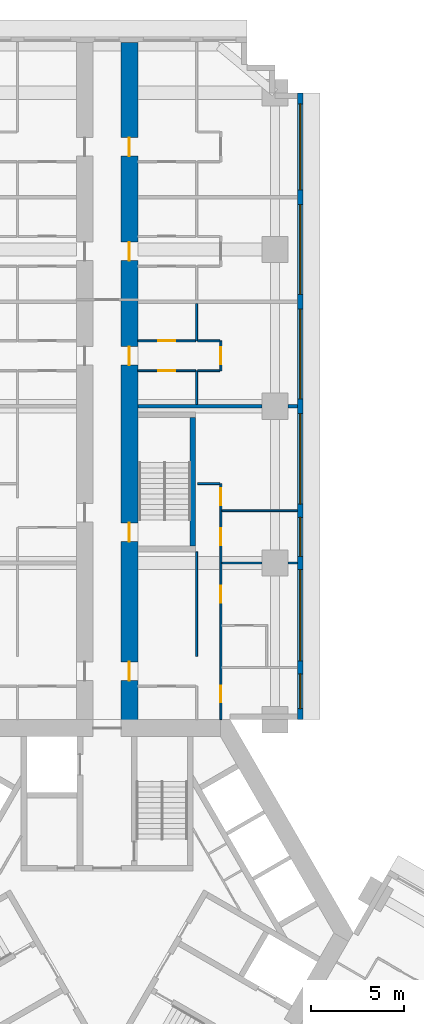
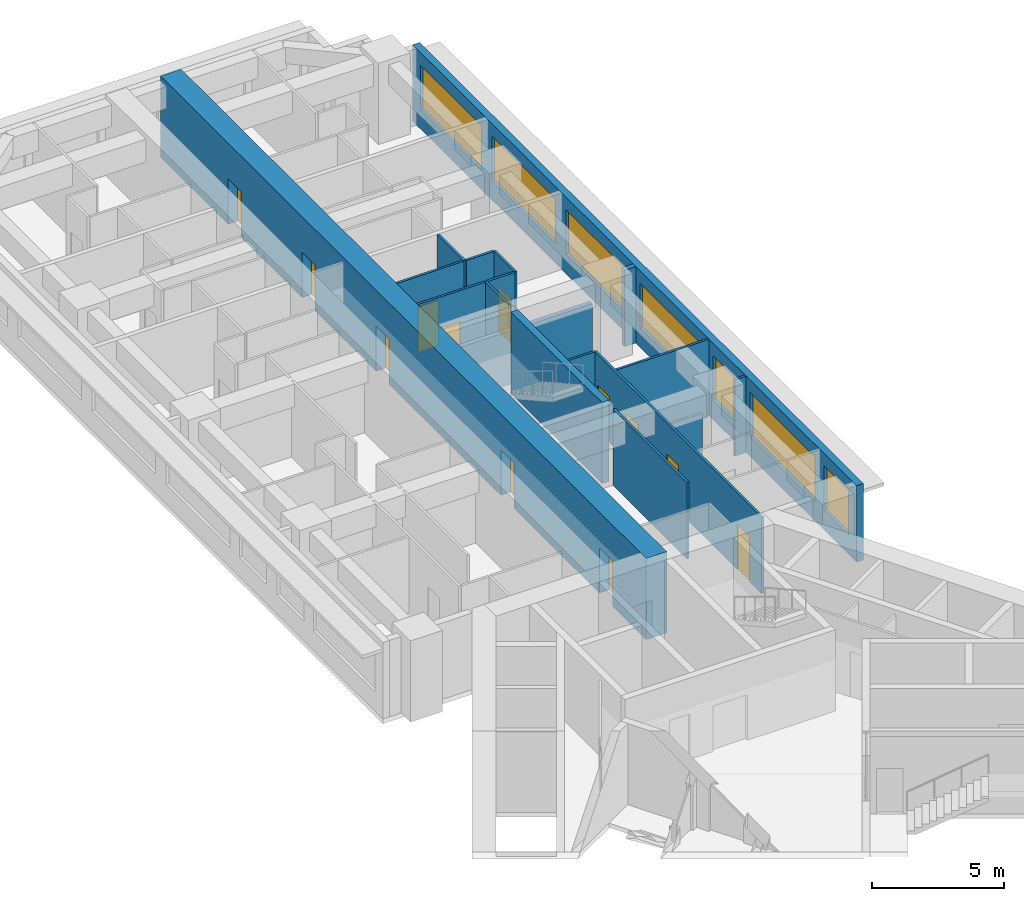
# One storey, part 10 of 16: 18 walls, 12 doors, 7 windows, 19 openings.
"""IFC4 building model written with IfcOpenShell, lengths in metres."""

from ifc_helpers import new_model, si_unit, direction, frame, frame_2d, origin, place, context, subcontext, project, spatial, rectangle, extrude, material, layer, layer_set, type_object, element, fill, save


model = new_model("IFC4")

# Units and contexts
model_context = context("Model", 3, precision=1e-05, world=origin(), true_north=direction((0.0, 1.0)))
body_context = subcontext(model_context, "Body", "Model", "MODEL_VIEW")
ifc_project = project(units=[si_unit("LENGTHUNIT", "METRE"), si_unit("AREAUNIT", "SQUARE_METRE"), si_unit("VOLUMEUNIT", "CUBIC_METRE"), si_unit("PLANEANGLEUNIT", "RADIAN"), si_unit("MASSUNIT", "GRAM", prefix="KILO")], contexts=[model_context])

# Site, building, storey
site_placement = place(None, origin())
site = spatial("IfcSite", under=ifc_project, at=site_placement, CompositionType="ELEMENT")
building_placement = place(site_placement, origin())
building = spatial("IfcBuilding", under=site, at=building_placement, Name="Impinga Residences", CompositionType="ELEMENT")
storey_placement = place(building_placement, frame((0.0, 0.0, 56.0)))
storey = spatial("IfcBuildingStorey", under=building, at=storey_placement, Name="L13", CompositionType="ELEMENT", Elevation=56.0)

# Wall, openings, doors
ifc_material_1 = material(Name="Concrete C70/85", Category="concrete")
ifc_layer_1 = layer(ifc_material_1, 0.89990234375)
ifc_layer_set_1 = layer_set([ifc_layer_1], Name="Concrete C70/85")
wall_type_1 = type_object("IfcWallType", Name="BW1 corridor buttress wall, L05 to L22 900", PredefinedType="SHEAR", material=ifc_layer_set_1)
wall_1_placement = place(storey_placement, frame((1.199951171875, 10.9814453125, 0.0), z_axis=(0.0, 0.0, 1.0), x_axis=(0.0, 1.0, 0.0)))
wall_1 = element("IfcWall", 1, at=wall_1_placement, inside=storey, type_object=wall_type_1, Name="Corridor wall BW1 ND L13", PredefinedType="SHEAR", context=body_context, shape_type="SweptSolid", body=[
    extrude(rectangle(XDim=36.75, YDim=0.89990234375, at=frame_2d((18.375, 0.0))), origin(), (0.0, 0.0, 1.0), 3.75),
])
opening_1_placement = place(wall_1_placement, frame((10.0, 0.0, 0.0)))
opening_1 = element("IfcOpeningElement", 2, at=opening_1_placement, cuts=wall_1, Name="Opening D5", PredefinedType="OPENING", context=body_context, shape_type="SweptSolid", body=[
    extrude(rectangle(XDim=1.0, YDim=2.10009765625, at=frame_2d((0.5, 1.050048828125))), frame((0.0, 0.4599609375, 0.0), z_axis=(0.0, -1.0, 0.0), x_axis=(1.0, 0.0, 0.0)), (0.0, 0.0, 1.0), 0.919921875),
])
opening_2_placement = place(wall_1_placement, frame((2.550048828125, 0.0, 0.0)))
opening_2 = element("IfcOpeningElement", 3, at=opening_2_placement, cuts=wall_1, Name="Opening D1", PredefinedType="OPENING", context=body_context, shape_type="SweptSolid", body=[
    extrude(rectangle(XDim=1.0, YDim=2.10009765625, at=frame_2d((0.5, 1.050048828125))), frame((0.0, 0.4599609375, 0.0), z_axis=(0.0, -1.0, 0.0), x_axis=(1.0, 0.0, 0.0)), (0.0, 0.0, 1.0), 0.919921875),
])
opening_3_placement = place(wall_1_placement, frame((19.449951171875, 0.0, 0.0)))
opening_3 = element("IfcOpeningElement", 4, at=opening_3_placement, cuts=wall_1, Name="Opening D1", PredefinedType="OPENING", context=body_context, shape_type="SweptSolid", body=[
    extrude(rectangle(XDim=1.0, YDim=2.10009765625, at=frame_2d((0.5, 1.050048828125))), frame((0.0, 0.4599609375, 0.0), z_axis=(0.0, -1.0, 0.0), x_axis=(1.0, 0.0, 0.0)), (0.0, 0.0, 1.0), 0.919921875),
])
opening_4_placement = place(wall_1_placement, frame((25.050048828125, 0.0, 0.0)))
opening_4 = element("IfcOpeningElement", 5, at=opening_4_placement, cuts=wall_1, Name="Opening D1", PredefinedType="OPENING", context=body_context, shape_type="SweptSolid", body=[
    extrude(rectangle(XDim=1.0, YDim=2.10009765625, at=frame_2d((0.5, 1.050048828125))), frame((0.0, 0.4599609375, 0.0), z_axis=(0.0, -1.0, 0.0), x_axis=(1.0, 0.0, 0.0)), (0.0, 0.0, 1.0), 0.919921875),
])
opening_5_placement = place(wall_1_placement, frame((30.64990234375, 0.0, 0.0)))
opening_5 = element("IfcOpeningElement", 6, at=opening_5_placement, cuts=wall_1, Name="Opening D1", PredefinedType="OPENING", context=body_context, shape_type="SweptSolid", body=[
    extrude(rectangle(XDim=1.0, YDim=2.10009765625, at=frame_2d((0.5, 1.050048828125))), frame((0.0, 0.4599609375, 0.0), z_axis=(0.0, -1.0, 0.0), x_axis=(1.0, 0.0, 0.0)), (0.0, 0.0, 1.0), 0.919921875),
])
ifc_material_2 = material(Name="Timber door set", Category="wood")
door_type_1 = type_object("IfcDoorType", Name="D1 apartment entrance door 1000x2100", OperationType="SINGLE_SWING_LEFT", PredefinedType="DOOR", material=ifc_material_2)
door_1_placement = place(opening_2_placement, origin())
door_1 = element("IfcDoor", 7, at=door_1_placement, inside=storey, type_object=door_type_1, Name="Apartment L13-NF1 entrance", OperationType="SINGLE_SWING_LEFT", OverallHeight=2.10009765625, OverallWidth=1.0, PredefinedType="DOOR", context=body_context, shape_type="SweptSolid", body=[
    extrude(rectangle(XDim=1.0, YDim=2.10009765625, at=frame_2d((0.5, 1.050048828125))), frame((0.0, 0.02490234375, 0.0), z_axis=(0.0, -1.0, 0.0), x_axis=(1.0, 0.0, 0.0)), (0.0, 0.0, 1.0), 0.050048828125),
])
fill(opening_2, door_1)
door_2_placement = place(opening_3_placement, origin())
door_2 = element("IfcDoor", 8, at=door_2_placement, inside=storey, type_object=door_type_1, Name="Apartment L13-NF2 entrance", OperationType="SINGLE_SWING_RIGHT", OverallHeight=2.10009765625, OverallWidth=1.0, PredefinedType="DOOR", context=body_context, shape_type="SweptSolid", body=[
    extrude(rectangle(XDim=1.0, YDim=2.10009765625, at=frame_2d((0.5, 1.050048828125))), frame((0.0, 0.02490234375, 0.0), z_axis=(0.0, -1.0, 0.0), x_axis=(1.0, 0.0, 0.0)), (0.0, 0.0, 1.0), 0.050048828125),
])
fill(opening_3, door_2)
door_3_placement = place(opening_4_placement, origin())
door_3 = element("IfcDoor", 9, at=door_3_placement, inside=storey, type_object=door_type_1, Name="Apartment L13-NF3 entrance", OperationType="SINGLE_SWING_RIGHT", OverallHeight=2.10009765625, OverallWidth=1.0, PredefinedType="DOOR", context=body_context, shape_type="SweptSolid", body=[
    extrude(rectangle(XDim=1.0, YDim=2.10009765625, at=frame_2d((0.5, 1.050048828125))), frame((0.0, 0.02490234375, 0.0), z_axis=(0.0, -1.0, 0.0), x_axis=(1.0, 0.0, 0.0)), (0.0, 0.0, 1.0), 0.050048828125),
])
fill(opening_4, door_3)
door_4_placement = place(opening_5_placement, origin())
door_4 = element("IfcDoor", 10, at=door_4_placement, inside=storey, type_object=door_type_1, Name="Apartment L13-NF4 entrance", OperationType="SINGLE_SWING_RIGHT", OverallHeight=2.10009765625, OverallWidth=1.0, PredefinedType="DOOR", context=body_context, shape_type="SweptSolid", body=[
    extrude(rectangle(XDim=1.0, YDim=2.10009765625, at=frame_2d((0.5, 1.050048828125))), frame((0.0, 0.02490234375, 0.0), z_axis=(0.0, -1.0, 0.0), x_axis=(1.0, 0.0, 0.0)), (0.0, 0.0, 1.0), 0.050048828125),
])
fill(opening_5, door_4)
door_type_2 = type_object("IfcDoorType", Name="D5 stair door 1000x2100", OperationType="SINGLE_SWING_LEFT", PredefinedType="DOOR", material=ifc_material_2)
door_5_placement = place(opening_1_placement, origin())
door_5 = element("IfcDoor", 11, at=door_5_placement, inside=storey, type_object=door_type_2, Name="Wing stair door N", OperationType="SINGLE_SWING_LEFT", OverallHeight=2.10009765625, OverallWidth=1.0, PredefinedType="DOOR", context=body_context, shape_type="SweptSolid", body=[
    extrude(rectangle(XDim=1.0, YDim=2.10009765625, at=frame_2d((0.5, 1.050048828125))), frame((0.0, 0.02490234375, 0.0), z_axis=(0.0, -1.0, 0.0), x_axis=(1.0, 0.0, 0.0)), (0.0, 0.0, 1.0), 0.050048828125),
])
fill(opening_1, door_5)

# Wall, openings, windows
ifc_material_3 = material(Name="Terracotta rainscreen on blockwork", Category="masonry")
ifc_layer_2 = layer(ifc_material_3, 0.300048828125)
ifc_layer_set_2 = layer_set([ifc_layer_2], Name="EW1 external wall, terracotta rainscreen on blockwork 300")
wall_type_2 = type_object("IfcWallType", Name="EW1 external wall, terracotta rainscreen on blockwork 300", PredefinedType="SOLIDWALL", material=ifc_layer_set_2)
wall_2_placement = place(storey_placement, frame((10.35009765625, 45.031494140625, 0.0), z_axis=(0.0, 0.0, 1.0), x_axis=(0.0, -1.0, 0.0)))
wall_2 = element("IfcWall", 12, at=wall_2_placement, inside=storey, type_object=wall_type_2, Name="External wall EW1 L13", PredefinedType="SOLIDWALL", context=body_context, shape_type="SweptSolid", body=[
    extrude(rectangle(XDim=33.599853515625, YDim=0.300048828125, at=frame_2d((16.7998046875, 0.0))), origin(), (0.0, 0.0, 1.0), 3.530029296875),
])
opening_6_placement = place(wall_2_placement, frame((0.60009765625, 0.0, 0.89990234375)))
opening_6 = element("IfcOpeningElement", 13, at=opening_6_placement, cuts=wall_2, Name="Opening W3", PredefinedType="OPENING", context=body_context, shape_type="SweptSolid", body=[
    extrude(rectangle(XDim=4.60009765625, YDim=2.050048828125, at=frame_2d((2.300048828125, 1.02490234375))), frame((0.0, 0.159912109375, 0.0), z_axis=(0.0, -1.0, 0.0), x_axis=(1.0, 0.0, 0.0)), (0.0, 0.0, 1.0), 0.320068359375),
])
opening_7_placement = place(wall_2_placement, frame((6.0, 0.0, 0.89990234375)))
opening_7 = element("IfcOpeningElement", 14, at=opening_7_placement, cuts=wall_2, Name="Opening W8", PredefinedType="OPENING", context=body_context, shape_type="SweptSolid", body=[
    extrude(rectangle(XDim=4.800048828125, YDim=2.050048828125, at=frame_2d((2.39990234375, 1.02490234375))), frame((0.0, 0.159912109375, 0.0), z_axis=(0.0, -1.0, 0.0), x_axis=(1.0, 0.0, 0.0)), (0.0, 0.0, 1.0), 0.320068359375),
])
opening_8_placement = place(wall_2_placement, frame((11.60009765625, 0.0, 0.89990234375)))
opening_8 = element("IfcOpeningElement", 15, at=opening_8_placement, cuts=wall_2, Name="Opening W8", PredefinedType="OPENING", context=body_context, shape_type="SweptSolid", body=[
    extrude(rectangle(XDim=4.800048828125, YDim=2.050048828125, at=frame_2d((2.39990234375, 1.02490234375))), frame((0.0, 0.159912109375, 0.0), z_axis=(0.0, -1.0, 0.0), x_axis=(1.0, 0.0, 0.0)), (0.0, 0.0, 1.0), 0.320068359375),
])
opening_9_placement = place(wall_2_placement, frame((17.199951171875, 0.0, 0.89990234375)))
opening_9 = element("IfcOpeningElement", 16, at=opening_9_placement, cuts=wall_2, Name="Opening W6", PredefinedType="OPENING", context=body_context, shape_type="SweptSolid", body=[
    extrude(rectangle(XDim=4.85009765625, YDim=2.050048828125, at=frame_2d((2.425048828125, 1.02490234375))), frame((0.0, 0.159912109375, 0.0), z_axis=(0.0, -1.0, 0.0), x_axis=(1.0, 0.0, 0.0)), (0.0, 0.0, 1.0), 0.320068359375),
])
opening_10_placement = place(wall_2_placement, frame((22.75, 0.0, 0.89990234375)))
opening_10 = element("IfcOpeningElement", 17, at=opening_10_placement, cuts=wall_2, Name="Opening W9", PredefinedType="OPENING", context=body_context, shape_type="SweptSolid", body=[
    extrude(rectangle(XDim=2.10009765625, YDim=2.050048828125, at=frame_2d((1.050048828125, 1.02490234375))), frame((0.0, 0.159912109375, 0.0), z_axis=(0.0, -1.0, 0.0), x_axis=(1.0, 0.0, 0.0)), (0.0, 0.0, 1.0), 0.320068359375),
])
opening_11_placement = place(wall_2_placement, frame((25.550048828125, 0.0, 0.89990234375)))
opening_11 = element("IfcOpeningElement", 18, at=opening_11_placement, cuts=wall_2, Name="Opening W16", PredefinedType="OPENING", context=body_context, shape_type="SweptSolid", body=[
    extrude(rectangle(XDim=4.89990234375, YDim=2.050048828125, at=frame_2d((2.449951171875, 1.02490234375))), frame((0.0, 0.159912109375, 0.0), z_axis=(0.0, -1.0, 0.0), x_axis=(1.0, 0.0, 0.0)), (0.0, 0.0, 1.0), 0.320068359375),
])
opening_12_placement = place(wall_2_placement, frame((31.14990234375, 0.0, 0.89990234375)))
opening_12 = element("IfcOpeningElement", 19, at=opening_12_placement, cuts=wall_2, Name="Opening W15", PredefinedType="OPENING", context=body_context, shape_type="SweptSolid", body=[
    extrude(rectangle(XDim=1.85009765625, YDim=2.050048828125, at=frame_2d((0.925048828125, 1.02490234375))), frame((0.0, 0.159912109375, 0.0), z_axis=(0.0, -1.0, 0.0), x_axis=(1.0, 0.0, 0.0)), (0.0, 0.0, 1.0), 0.320068359375),
])
ifc_material_4 = material(Name="Aluminium window, clear double glazing", Category="aluminium")
window_type_1 = type_object("IfcWindowType", Name="W15 ribbon window 1850x2050", PartitioningType="SINGLE_PANEL", PredefinedType="WINDOW", material=ifc_material_4)
window_1_placement = place(opening_12_placement, origin())
window_1 = element("IfcWindow", 20, at=window_1_placement, inside=storey, type_object=window_type_1, Name="Window L13", OverallHeight=2.050048828125, OverallWidth=1.85009765625, PartitioningType="SINGLE_PANEL", PredefinedType="WINDOW", context=body_context, shape_type="SweptSolid", body=[
    extrude(rectangle(XDim=1.85009765625, YDim=2.050048828125, at=frame_2d((0.925048828125, 1.02490234375))), frame((0.0, 0.030029296875, 0.0), z_axis=(0.0, -1.0, 0.0), x_axis=(1.0, 0.0, 0.0)), (0.0, 0.0, 1.0), 0.06005859375),
])
fill(opening_12, window_1)
window_type_2 = type_object("IfcWindowType", Name="W16 ribbon window 4900x2050", PartitioningType="SINGLE_PANEL", PredefinedType="WINDOW", material=ifc_material_4)
window_2_placement = place(opening_11_placement, origin())
window_2 = element("IfcWindow", 21, at=window_2_placement, inside=storey, type_object=window_type_2, Name="Window L13", OverallHeight=2.050048828125, OverallWidth=4.89990234375, PartitioningType="SINGLE_PANEL", PredefinedType="WINDOW", context=body_context, shape_type="SweptSolid", body=[
    extrude(rectangle(XDim=4.89990234375, YDim=2.050048828125, at=frame_2d((2.449951171875, 1.02490234375))), frame((0.0, 0.030029296875, 0.0), z_axis=(0.0, -1.0, 0.0), x_axis=(1.0, 0.0, 0.0)), (0.0, 0.0, 1.0), 0.06005859375),
])
fill(opening_11, window_2)
window_type_3 = type_object("IfcWindowType", Name="W3 ribbon window 4600x2050", PartitioningType="SINGLE_PANEL", PredefinedType="WINDOW", material=ifc_material_4)
window_3_placement = place(opening_6_placement, origin())
window_3 = element("IfcWindow", 22, at=window_3_placement, inside=storey, type_object=window_type_3, Name="Window L13", OverallHeight=2.050048828125, OverallWidth=4.60009765625, PartitioningType="SINGLE_PANEL", PredefinedType="WINDOW", context=body_context, shape_type="SweptSolid", body=[
    extrude(rectangle(XDim=4.60009765625, YDim=2.050048828125, at=frame_2d((2.300048828125, 1.02490234375))), frame((0.0, 0.030029296875, 0.0), z_axis=(0.0, -1.0, 0.0), x_axis=(1.0, 0.0, 0.0)), (0.0, 0.0, 1.0), 0.06005859375),
])
fill(opening_6, window_3)
window_type_4 = type_object("IfcWindowType", Name="W6 ribbon window 4850x2050", PartitioningType="SINGLE_PANEL", PredefinedType="WINDOW", material=ifc_material_4)
window_4_placement = place(opening_9_placement, origin())
window_4 = element("IfcWindow", 23, at=window_4_placement, inside=storey, type_object=window_type_4, Name="Window L13", OverallHeight=2.050048828125, OverallWidth=4.85009765625, PartitioningType="SINGLE_PANEL", PredefinedType="WINDOW", context=body_context, shape_type="SweptSolid", body=[
    extrude(rectangle(XDim=4.85009765625, YDim=2.050048828125, at=frame_2d((2.425048828125, 1.02490234375))), frame((0.0, 0.030029296875, 0.0), z_axis=(0.0, -1.0, 0.0), x_axis=(1.0, 0.0, 0.0)), (0.0, 0.0, 1.0), 0.06005859375),
])
fill(opening_9, window_4)
window_type_5 = type_object("IfcWindowType", Name="W8 ribbon window 4800x2050", PartitioningType="SINGLE_PANEL", PredefinedType="WINDOW", material=ifc_material_4)
window_5_placement = place(opening_7_placement, origin())
window_5 = element("IfcWindow", 24, at=window_5_placement, inside=storey, type_object=window_type_5, Name="Window L13", OverallHeight=2.050048828125, OverallWidth=4.800048828125, PartitioningType="SINGLE_PANEL", PredefinedType="WINDOW", context=body_context, shape_type="SweptSolid", body=[
    extrude(rectangle(XDim=4.800048828125, YDim=2.050048828125, at=frame_2d((2.39990234375, 1.02490234375))), frame((0.0, 0.030029296875, 0.0), z_axis=(0.0, -1.0, 0.0), x_axis=(1.0, 0.0, 0.0)), (0.0, 0.0, 1.0), 0.06005859375),
])
fill(opening_7, window_5)
window_6_placement = place(opening_8_placement, origin())
window_6 = element("IfcWindow", 25, at=window_6_placement, inside=storey, type_object=window_type_5, Name="Window L13", OverallHeight=2.050048828125, OverallWidth=4.800048828125, PartitioningType="SINGLE_PANEL", PredefinedType="WINDOW", context=body_context, shape_type="SweptSolid", body=[
    extrude(rectangle(XDim=4.800048828125, YDim=2.050048828125, at=frame_2d((2.39990234375, 1.02490234375))), frame((0.0, 0.030029296875, 0.0), z_axis=(0.0, -1.0, 0.0), x_axis=(1.0, 0.0, 0.0)), (0.0, 0.0, 1.0), 0.06005859375),
])
fill(opening_8, window_6)
window_type_6 = type_object("IfcWindowType", Name="W9 ribbon window 2100x2050", PartitioningType="SINGLE_PANEL", PredefinedType="WINDOW", material=ifc_material_4)
window_7_placement = place(opening_10_placement, origin())
window_7 = element("IfcWindow", 26, at=window_7_placement, inside=storey, type_object=window_type_6, Name="Window L13", OverallHeight=2.050048828125, OverallWidth=2.10009765625, PartitioningType="SINGLE_PANEL", PredefinedType="WINDOW", context=body_context, shape_type="SweptSolid", body=[
    extrude(rectangle(XDim=2.10009765625, YDim=2.050048828125, at=frame_2d((1.050048828125, 1.02490234375))), frame((0.0, 0.030029296875, 0.0), z_axis=(0.0, -1.0, 0.0), x_axis=(1.0, 0.0, 0.0)), (0.0, 0.0, 1.0), 0.06005859375),
])
fill(opening_10, window_7)

# Wall
ifc_material_5 = material(Name="Gypsum board on steel studs", Category="steel")
ifc_layer_3 = layer(ifc_material_5, 0.10009765625)
ifc_layer_set_3 = layer_set([ifc_layer_3], Name="Gypsum board on steel studs")
wall_type_3 = type_object("IfcWallType", Name="IP1 partition 100", PredefinedType="PARTITIONING", material=ifc_layer_set_3)
wall_3_placement = place(storey_placement, frame((4.800048828125, 14.83154296875, 0.0), z_axis=(0.0, 0.0, 1.0), x_axis=(0.0, 1.0, 0.0)))
element("IfcWall", 27, at=wall_3_placement, inside=storey, type_object=wall_type_3, Name="Partition L13-NF1:DIV1", PredefinedType="PARTITIONING", context=body_context, shape_type="SweptSolid", body=[
    extrude(rectangle(XDim=5.60009765625, YDim=0.10009765625, at=frame_2d((2.800048828125, 0.0))), origin(), (0.0, 0.0, 1.0), 3.530029296875),
])

# Wall, openings, doors
wall_4_placement = place(storey_placement, frame((6.10009765625, 11.431640625, 0.0), z_axis=(0.0, 0.0, 1.0), x_axis=(0.0, 1.0, 0.0)))
wall_4 = element("IfcWall", 28, at=wall_4_placement, inside=storey, type_object=wall_type_3, Name="Partition L13-NF1:STRIP", PredefinedType="PARTITIONING", context=body_context, shape_type="SweptSolid", body=[
    extrude(rectangle(XDim=12.64990234375, YDim=0.10009765625, at=frame_2d((6.324951171875, 0.0))), origin(), (0.0, 0.0, 1.0), 3.530029296875),
])
opening_13_placement = place(wall_4_placement, frame((0.925048828125, 0.0, 0.0)))
opening_13 = element("IfcOpeningElement", 29, at=opening_13_placement, cuts=wall_4, Name="Opening D2", PredefinedType="OPENING", context=body_context, shape_type="SweptSolid", body=[
    extrude(rectangle(XDim=0.89990234375, YDim=2.10009765625, at=frame_2d((0.449951171875, 1.050048828125))), frame((0.0, 0.06005859375, 0.0), z_axis=(0.0, -1.0, 0.0), x_axis=(1.0, 0.0, 0.0)), (0.0, 0.0, 1.0), 0.1201171875),
])
opening_14_placement = place(wall_4_placement, frame((6.27490234375, 0.0, 0.0)))
opening_14 = element("IfcOpeningElement", 30, at=opening_14_placement, cuts=wall_4, Name="Opening D2", PredefinedType="OPENING", context=body_context, shape_type="SweptSolid", body=[
    extrude(rectangle(XDim=0.89990234375, YDim=2.10009765625, at=frame_2d((0.449951171875, 1.050048828125))), frame((0.0, 0.06005859375, 0.0), z_axis=(0.0, -1.0, 0.0), x_axis=(1.0, 0.0, 0.0)), (0.0, 0.0, 1.0), 0.1201171875),
])
opening_15_placement = place(wall_4_placement, frame((9.35009765625, 0.0, 0.0)))
opening_15 = element("IfcOpeningElement", 31, at=opening_15_placement, cuts=wall_4, Name="Opening D2", PredefinedType="OPENING", context=body_context, shape_type="SweptSolid", body=[
    extrude(rectangle(XDim=0.89990234375, YDim=2.10009765625, at=frame_2d((0.449951171875, 1.050048828125))), frame((0.0, 0.06005859375, 0.0), z_axis=(0.0, -1.0, 0.0), x_axis=(1.0, 0.0, 0.0)), (0.0, 0.0, 1.0), 0.1201171875),
])
opening_16_placement = place(wall_4_placement, frame((11.5, 0.0, 0.0)))
opening_16 = element("IfcOpeningElement", 32, at=opening_16_placement, cuts=wall_4, Name="Opening D2", PredefinedType="OPENING", context=body_context, shape_type="SweptSolid", body=[
    extrude(rectangle(XDim=0.89990234375, YDim=2.10009765625, at=frame_2d((0.449951171875, 1.050048828125))), frame((0.0, 0.06005859375, 0.0), z_axis=(0.0, -1.0, 0.0), x_axis=(1.0, 0.0, 0.0)), (0.0, 0.0, 1.0), 0.1201171875),
])
door_type_3 = type_object("IfcDoorType", Name="D2 internal door 900x2100", OperationType="SINGLE_SWING_LEFT", PredefinedType="DOOR", material=ifc_material_2)
door_6_placement = place(opening_13_placement, origin())
door_6 = element("IfcDoor", 33, at=door_6_placement, inside=storey, type_object=door_type_3, Name="Apartment L13-NF1 room door", OperationType="SINGLE_SWING_LEFT", OverallHeight=2.10009765625, OverallWidth=0.89990234375, PredefinedType="DOOR", context=body_context, shape_type="SweptSolid", body=[
    extrude(rectangle(XDim=0.89990234375, YDim=2.10009765625, at=frame_2d((0.449951171875, 1.050048828125))), frame((0.0, 0.02490234375, 0.0), z_axis=(0.0, -1.0, 0.0), x_axis=(1.0, 0.0, 0.0)), (0.0, 0.0, 1.0), 0.050048828125),
])
fill(opening_13, door_6)
door_7_placement = place(opening_14_placement, origin())
door_7 = element("IfcDoor", 34, at=door_7_placement, inside=storey, type_object=door_type_3, Name="Apartment L13-NF1 room door", OperationType="SINGLE_SWING_RIGHT", OverallHeight=2.10009765625, OverallWidth=0.89990234375, PredefinedType="DOOR", context=body_context, shape_type="SweptSolid", body=[
    extrude(rectangle(XDim=0.89990234375, YDim=2.10009765625, at=frame_2d((0.449951171875, 1.050048828125))), frame((0.0, 0.02490234375, 0.0), z_axis=(0.0, -1.0, 0.0), x_axis=(1.0, 0.0, 0.0)), (0.0, 0.0, 1.0), 0.050048828125),
])
fill(opening_14, door_7)
door_8_placement = place(opening_15_placement, origin())
door_8 = element("IfcDoor", 35, at=door_8_placement, inside=storey, type_object=door_type_3, Name="Apartment L13-NF1 room door", OperationType="SINGLE_SWING_RIGHT", OverallHeight=2.10009765625, OverallWidth=0.89990234375, PredefinedType="DOOR", context=body_context, shape_type="SweptSolid", body=[
    extrude(rectangle(XDim=0.89990234375, YDim=2.10009765625, at=frame_2d((0.449951171875, 1.050048828125))), frame((0.0, 0.02490234375, 0.0), z_axis=(0.0, -1.0, 0.0), x_axis=(1.0, 0.0, 0.0)), (0.0, 0.0, 1.0), 0.050048828125),
])
fill(opening_15, door_8)
door_9_placement = place(opening_16_placement, origin())
door_9 = element("IfcDoor", 36, at=door_9_placement, inside=storey, type_object=door_type_3, Name="Apartment L13-NF1 room door", OperationType="SINGLE_SWING_RIGHT", OverallHeight=2.10009765625, OverallWidth=0.89990234375, PredefinedType="DOOR", context=body_context, shape_type="SweptSolid", body=[
    extrude(rectangle(XDim=0.89990234375, YDim=2.10009765625, at=frame_2d((0.449951171875, 1.050048828125))), frame((0.0, 0.02490234375, 0.0), z_axis=(0.0, -1.0, 0.0), x_axis=(1.0, 0.0, 0.0)), (0.0, 0.0, 1.0), 0.050048828125),
])
fill(opening_16, door_9)

# Walls
wall_5_placement = place(storey_placement, frame((4.85009765625, 24.08154296875, 0.0), z_axis=(0.0, 0.0, 1.0), x_axis=(1.0, 0.0, 0.0)))
element("IfcWall", 37, at=wall_5_placement, inside=storey, type_object=wall_type_3, Name="Partition L13-NF1:SE1", PredefinedType="PARTITIONING", context=body_context, shape_type="SweptSolid", body=[
    extrude(rectangle(XDim=1.199951171875, YDim=0.10009765625, at=frame_2d((0.60009765625, 0.0))), origin(), (0.0, 0.0, 1.0), 3.530029296875),
])
wall_6_placement = place(storey_placement, frame((6.14990234375, 19.83154296875, 0.0), z_axis=(0.0, 0.0, 1.0), x_axis=(1.0, 0.0, 0.0)))
element("IfcWall", 38, at=wall_6_placement, inside=storey, type_object=wall_type_3, Name="Partition L13-NF1:OB2", PredefinedType="PARTITIONING", context=body_context, shape_type="SweptSolid", body=[
    extrude(rectangle(XDim=2.150146484375, YDim=0.10009765625, at=frame_2d((1.0751953125, 0.0))), origin(), (0.0, 0.0, 1.0), 2.47998046875),
])
wall_7_placement = place(storey_placement, frame((9.699951171875, 19.83154296875, 0.0), z_axis=(0.0, 0.0, 1.0), x_axis=(1.0, 0.0, 0.0)))
element("IfcWall", 39, at=wall_7_placement, inside=storey, type_object=wall_type_3, Name="Partition L13-NF1:OB2b", PredefinedType="PARTITIONING", context=body_context, shape_type="SweptSolid", body=[
    extrude(rectangle(XDim=0.5, YDim=0.10009765625, at=frame_2d((0.25, 0.0))), origin(), (0.0, 0.0, 1.0), 3.530029296875),
])
wall_8_placement = place(storey_placement, frame((6.14990234375, 22.631591796875, 0.0), z_axis=(0.0, 0.0, 1.0), x_axis=(1.0, 0.0, 0.0)))
element("IfcWall", 40, at=wall_8_placement, inside=storey, type_object=wall_type_3, Name="Partition L13-NF1:OB3", PredefinedType="PARTITIONING", context=body_context, shape_type="SweptSolid", body=[
    extrude(rectangle(XDim=4.050048828125, YDim=0.10009765625, at=frame_2d((2.02490234375, 0.0))), origin(), (0.0, 0.0, 1.0), 3.530029296875),
])
wall_9_placement = place(storey_placement, frame((4.800048828125, 28.33154296875, 0.0), z_axis=(0.0, 0.0, 1.0), x_axis=(0.0, 1.0, 0.0)))
element("IfcWall", 41, at=wall_9_placement, inside=storey, type_object=wall_type_3, Name="Partition L13-NF2:DIV0", PredefinedType="PARTITIONING", context=body_context, shape_type="SweptSolid", body=[
    extrude(rectangle(XDim=1.800048828125, YDim=0.10009765625, at=frame_2d((0.89990234375, 0.0))), origin(), (0.0, 0.0, 1.0), 3.530029296875),
])
wall_10_placement = place(storey_placement, frame((4.800048828125, 31.7314453125, 0.0), z_axis=(0.0, 0.0, 1.0), x_axis=(0.0, 1.0, 0.0)))
element("IfcWall", 42, at=wall_10_placement, inside=storey, type_object=wall_type_3, Name="Partition L13-NF2:DIV1", PredefinedType="PARTITIONING", context=body_context, shape_type="SweptSolid", body=[
    extrude(rectangle(XDim=2.0, YDim=0.10009765625, at=frame_2d((1.0, 0.0))), origin(), (0.0, 0.0, 1.0), 3.530029296875),
])

# Wall, opening, door
wall_11_placement = place(storey_placement, frame((6.10009765625, 30.131591796875, 0.0), z_axis=(0.0, 0.0, 1.0), x_axis=(0.0, 1.0, 0.0)))
wall_11 = element("IfcWall", 43, at=wall_11_placement, inside=storey, type_object=wall_type_3, Name="Partition L13-NF2:STRIP", PredefinedType="PARTITIONING", context=body_context, shape_type="SweptSolid", body=[
    extrude(rectangle(XDim=1.599853515625, YDim=0.10009765625, at=frame_2d((0.7998046875, 0.0))), origin(), (0.0, 0.0, 1.0), 3.530029296875),
])
opening_17_placement = place(wall_11_placement, frame((0.35009765625, 0.0, 0.0)))
opening_17 = element("IfcOpeningElement", 44, at=opening_17_placement, cuts=wall_11, Name="Opening D2", PredefinedType="OPENING", context=body_context, shape_type="SweptSolid", body=[
    extrude(rectangle(XDim=0.89990234375, YDim=2.10009765625, at=frame_2d((0.449951171875, 1.050048828125))), frame((0.0, 0.06005859375, 0.0), z_axis=(0.0, -1.0, 0.0), x_axis=(1.0, 0.0, 0.0)), (0.0, 0.0, 1.0), 0.1201171875),
])
door_10_placement = place(opening_17_placement, origin())
door_10 = element("IfcDoor", 45, at=door_10_placement, inside=storey, type_object=door_type_3, Name="Apartment L13-NF2 room door", OperationType="SINGLE_SWING_LEFT", OverallHeight=2.10009765625, OverallWidth=0.89990234375, PredefinedType="DOOR", context=body_context, shape_type="SweptSolid", body=[
    extrude(rectangle(XDim=0.89990234375, YDim=2.10009765625, at=frame_2d((0.449951171875, 1.050048828125))), frame((0.0, 0.02490234375, 0.0), z_axis=(0.0, -1.0, 0.0), x_axis=(1.0, 0.0, 0.0)), (0.0, 0.0, 1.0), 0.050048828125),
])
fill(opening_17, door_10)

# Walls
for number, where, z_axis, x_axis, name in (
    (46, (4.85009765625, 30.131591796875, 0.0), (0.0, 0.0, 1.0), (1.0, 0.0, 0.0), "Partition L13-NF2:SE0"),
    (47, (4.85009765625, 31.7314453125, 0.0), (0.0, 0.0, 1.0), (1.0, 0.0, 0.0), "Partition L13-NF2:SE1"),
):
    element("IfcWall", number, at=place(storey_placement, frame(where, z_axis=z_axis, x_axis=x_axis)), inside=storey, type_object=wall_type_3, Name=name, PredefinedType="PARTITIONING", context=body_context, shape_type="SweptSolid", body=[
        extrude(rectangle(XDim=1.199951171875, YDim=0.10009765625, at=frame_2d((0.60009765625, 0.0))), origin(), (0.0, 0.0, 1.0), 3.530029296875),
    ])

# Wall, opening, door
wall_12_placement = place(storey_placement, frame((1.64990234375, 30.131591796875, 0.0), z_axis=(0.0, 0.0, 1.0), x_axis=(1.0, 0.0, 0.0)))
wall_12 = element("IfcWall", 48, at=wall_12_placement, inside=storey, type_object=wall_type_3, Name="Partition L13-NF2:IB1", PredefinedType="PARTITIONING", context=body_context, shape_type="SweptSolid", body=[
    extrude(rectangle(XDim=3.10009765625, YDim=0.10009765625, at=frame_2d((1.550048828125, 0.0))), origin(), (0.0, 0.0, 1.0), 3.530029296875),
])
opening_18_placement = place(wall_12_placement, frame((1.10009765625, 0.0, 0.0)))
opening_18 = element("IfcOpeningElement", 49, at=opening_18_placement, cuts=wall_12, Name="Opening D2", PredefinedType="OPENING", context=body_context, shape_type="SweptSolid", body=[
    extrude(rectangle(XDim=0.89990234375, YDim=2.10009765625, at=frame_2d((0.449951171875, 1.050048828125))), frame((0.0, 0.06005859375, 0.0), z_axis=(0.0, -1.0, 0.0), x_axis=(1.0, 0.0, 0.0)), (0.0, 0.0, 1.0), 0.1201171875),
])
door_11_placement = place(opening_18_placement, origin())
door_11 = element("IfcDoor", 50, at=door_11_placement, inside=storey, type_object=door_type_3, Name="Apartment L13-NF2 bathroom door", OperationType="SINGLE_SWING_LEFT", OverallHeight=2.10009765625, OverallWidth=0.89990234375, PredefinedType="DOOR", context=body_context, shape_type="SweptSolid", body=[
    extrude(rectangle(XDim=0.89990234375, YDim=2.10009765625, at=frame_2d((0.449951171875, 1.050048828125))), frame((0.0, 0.02490234375, 0.0), z_axis=(0.0, -1.0, 0.0), x_axis=(1.0, 0.0, 0.0)), (0.0, 0.0, 1.0), 0.050048828125),
])
fill(opening_18, door_11)

wall_13_placement = place(storey_placement, frame((1.64990234375, 31.7314453125, 0.0), z_axis=(0.0, 0.0, 1.0), x_axis=(1.0, 0.0, 0.0)))
wall_13 = element("IfcWall", 51, at=wall_13_placement, inside=storey, type_object=wall_type_3, Name="Partition L13-NF2:IB2", PredefinedType="PARTITIONING", context=body_context, shape_type="SweptSolid", body=[
    extrude(rectangle(XDim=3.10009765625, YDim=0.10009765625, at=frame_2d((1.550048828125, 0.0))), origin(), (0.0, 0.0, 1.0), 3.530029296875),
])
opening_19_placement = place(wall_13_placement, frame((1.10009765625, 0.0, 0.0)))
opening_19 = element("IfcOpeningElement", 52, at=opening_19_placement, cuts=wall_13, Name="Opening D2", PredefinedType="OPENING", context=body_context, shape_type="SweptSolid", body=[
    extrude(rectangle(XDim=0.89990234375, YDim=2.10009765625, at=frame_2d((0.449951171875, 1.050048828125))), frame((0.0, 0.06005859375, 0.0), z_axis=(0.0, -1.0, 0.0), x_axis=(1.0, 0.0, 0.0)), (0.0, 0.0, 1.0), 0.1201171875),
])
door_12_placement = place(opening_19_placement, origin())
door_12 = element("IfcDoor", 53, at=door_12_placement, inside=storey, type_object=door_type_3, Name="Apartment L13-NF2 WC door", OperationType="SINGLE_SWING_LEFT", OverallHeight=2.10009765625, OverallWidth=0.89990234375, PredefinedType="DOOR", context=body_context, shape_type="SweptSolid", body=[
    extrude(rectangle(XDim=0.89990234375, YDim=2.10009765625, at=frame_2d((0.449951171875, 1.050048828125))), frame((0.0, 0.02490234375, 0.0), z_axis=(0.0, -1.0, 0.0), x_axis=(1.0, 0.0, 0.0)), (0.0, 0.0, 1.0), 0.050048828125),
])
fill(opening_19, door_12)

# Walls
ifc_material_6 = material(Name="Concrete blockwork", Category="masonry")
ifc_layer_4 = layer(ifc_material_6, 0.199951171875)
ifc_layer_set_4 = layer_set([ifc_layer_4], Name="PW1 party wall between apartments 200")
wall_type_4 = type_object("IfcWallType", Name="PW1 party wall between apartments 200", PredefinedType="SOLIDWALL", material=ifc_layer_set_4)
wall_14_placement = place(storey_placement, frame((1.64990234375, 28.2314453125, 0.0), z_axis=(0.0, 0.0, 1.0), x_axis=(1.0, 0.0, 0.0)))
element("IfcWall", 54, at=wall_14_placement, inside=storey, type_object=wall_type_4, Name="Party wall between apartments L13-NF1:PARTY", PredefinedType="SOLIDWALL", context=body_context, shape_type="SweptSolid", body=[
    extrude(rectangle(XDim=6.650146484375, YDim=0.199951171875, at=frame_2d((3.3251953125, 0.0))), origin(), (0.0, 0.0, 1.0), 2.47998046875),
])
wall_15_placement = place(storey_placement, frame((9.699951171875, 28.2314453125, 0.0), z_axis=(0.0, 0.0, 1.0), x_axis=(1.0, 0.0, 0.0)))
element("IfcWall", 55, at=wall_15_placement, inside=storey, type_object=wall_type_4, Name="Party wall between apartments L13-NF1:PARTYb", PredefinedType="SOLIDWALL", context=body_context, shape_type="SweptSolid", body=[
    extrude(rectangle(XDim=0.5, YDim=0.199951171875, at=frame_2d((0.25, 0.0))), origin(), (0.0, 0.0, 1.0), 3.530029296875),
])
ifc_material_7 = material(Name="Concrete C60/75", Category="concrete")
ifc_layer_5 = layer(ifc_material_7, 0.300048828125)
ifc_layer_set_5 = layer_set([ifc_layer_5], Name="Concrete C60/75")
wall_type_5 = type_object("IfcWallType", Name="SE1 wing stair enclosure wall 300", PredefinedType="SOLIDWALL", material=ifc_layer_set_5)
wall_16_placement = place(storey_placement, frame((4.60009765625, 20.7314453125, 0.0), z_axis=(0.0, 0.0, 1.0), x_axis=(0.0, 1.0, 0.0)))
element("IfcWall", 56, at=wall_16_placement, inside=storey, type_object=wall_type_5, Name="Stair enclosure wall SE1 N OUT L13", PredefinedType="SOLIDWALL", context=body_context, shape_type="SweptSolid", body=[
    extrude(rectangle(XDim=6.900146484375, YDim=0.300048828125, at=frame_2d((3.4501953125, 0.0))), origin(), (0.0, 0.0, 1.0), 3.75),
])

save(model, "model.ifc")
